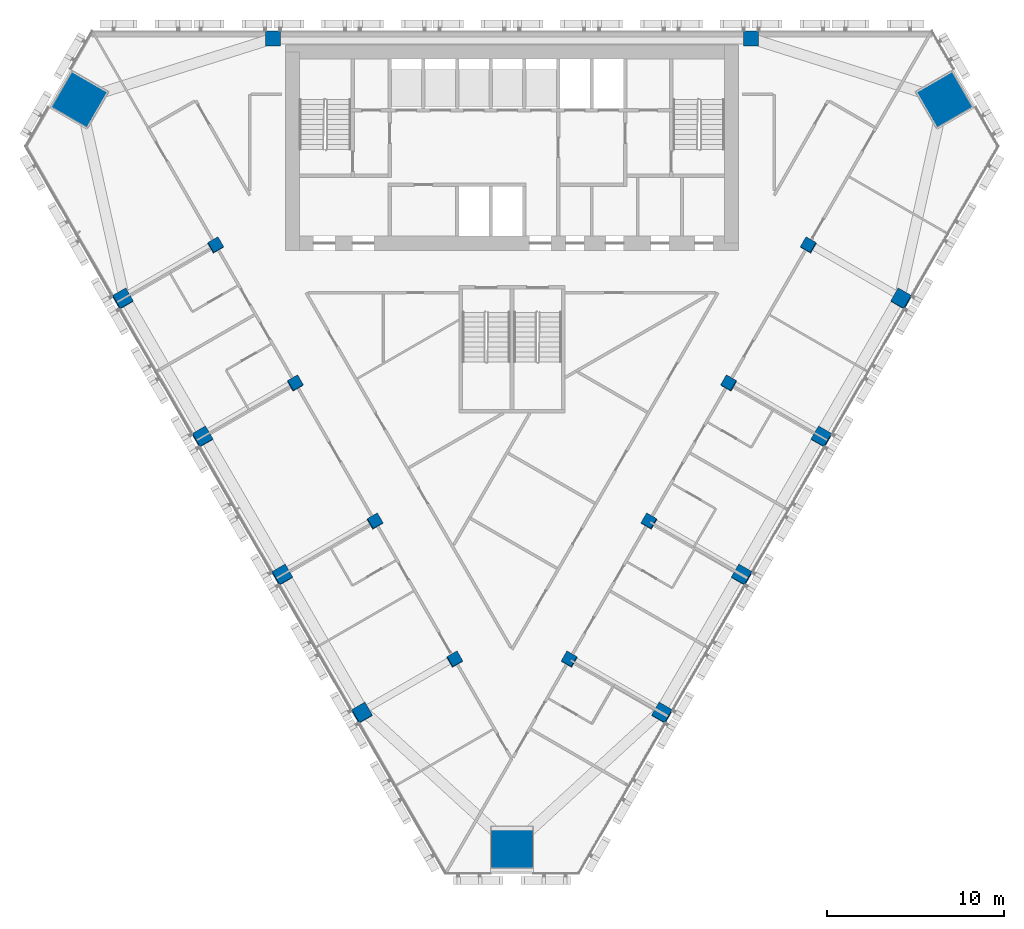
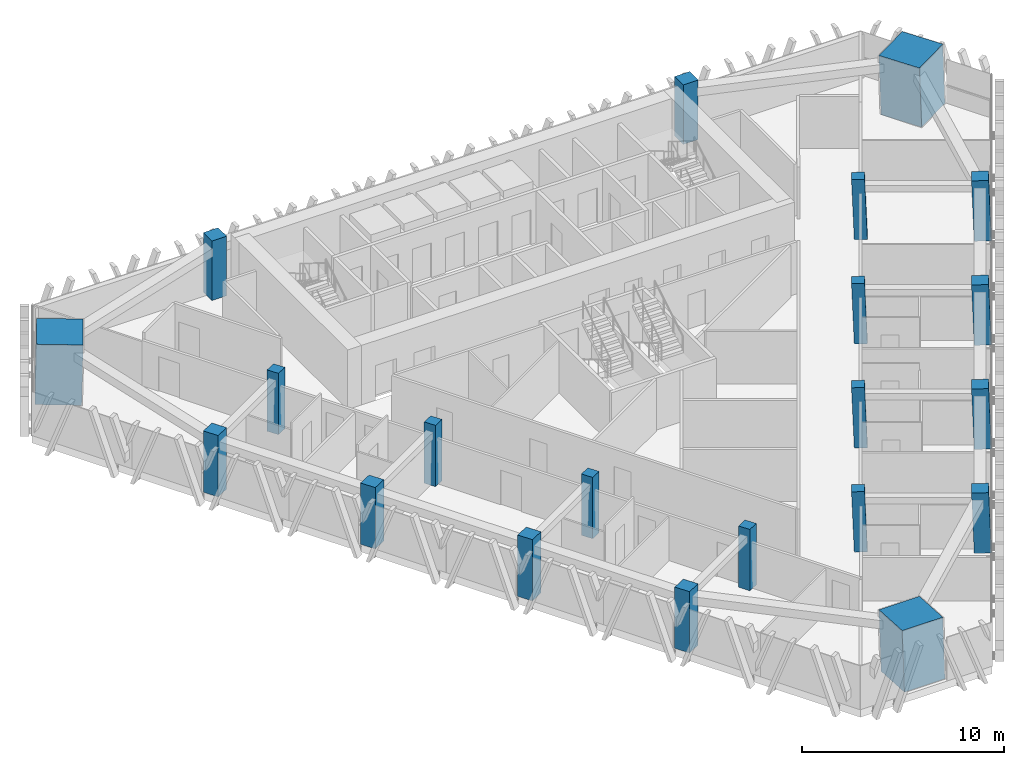
# One storey, part 1 of 15: 21 columns.
"""IFC4 building model written with IfcOpenShell, lengths in metres."""

from ifc_helpers import new_model, si_unit, direction, frame, origin, origin_2d, place, context, subcontext, project, spatial, rectangle, extrude, material, material_profile, profile_set, type_object, element, save


model = new_model("IFC4")

# Units and contexts
model_context = context("Model", 3, precision=1e-05, world=origin(), true_north=direction((0.0, 1.0)))
body_context = subcontext(model_context, "Body", "Model", "MODEL_VIEW")
ifc_project = project(units=[si_unit("LENGTHUNIT", "METRE"), si_unit("AREAUNIT", "SQUARE_METRE"), si_unit("VOLUMEUNIT", "CUBIC_METRE"), si_unit("PLANEANGLEUNIT", "RADIAN"), si_unit("MASSUNIT", "GRAM", prefix="KILO")], contexts=[model_context])

# Site, building, storey
site_placement = place(None, origin())
site = spatial("IfcSite", under=ifc_project, at=site_placement, CompositionType="ELEMENT")
building_placement = place(site_placement, origin())
building = spatial("IfcBuilding", under=site, at=building_placement, Name="Altiplano Prism Tower", CompositionType="ELEMENT")
storey_placement = place(building_placement, frame((0.0, 0.0, 142.199951171875)))
storey = spatial("IfcBuildingStorey", under=building, at=storey_placement, Name="L36", CompositionType="ELEMENT", Elevation=142.199951171875)

# Columns
ifc_material_1 = material(Name="Concrete C60/75", Category="concrete")
ifc_material_profile_1 = material_profile(ifc_material_1, rectangle(XDim=0.64990234375, YDim=0.64990234375, at=origin_2d()), Name="Inner column 650")
ifc_profile_set_1 = profile_set([ifc_material_profile_1], Name="Concrete C60/75")
column_type_1 = type_object("IfcColumnType", Name="Inner column 650", PredefinedType="COLUMN", material=ifc_profile_set_1)
for number, where, z_axis, x_axis, name in (
    (1, (68.251953125, 92.8740234375, -0.019775390625), (0.022153634206, 0.038480930364, 0.999013730882), (-0.864977033913, -0.50033593071, 0.038453702613), "Inner column I11 L36"),
    (2, (72.751953125, 85.079833984375, -0.019775390625), (0.02215369191, 0.038413282303, 0.999016333038), (-0.865361979245, -0.49967375975, 0.038402847483), "Inner column I12 L36"),
    (3, (77.251953125, 77.28564453125, -0.019775390625), (0.02215369191, 0.038413282303, 0.999016333038), (-0.865361987983, -0.499673744646, 0.038402847096), "Inner column I13 L36"),
    (4, (81.751953125, 69.491455078125, -0.019775390625), (0.02215369191, 0.038413282303, 0.999016333038), (-0.865361987983, -0.499673744646, 0.038402847096), "Inner column I14 L36"),
    (5, (88.248046875, 69.491455078125, -0.019775390625), (-0.02215369191, 0.038413282303, 0.999016333038), (-0.500657411499, -0.865361524829, 0.022171776144), "Inner column I21 L36"),
    (6, (92.748046875, 77.28564453125, -0.019775390625), (-0.02215369191, 0.038413282303, 0.999016333038), (-0.500657411499, -0.865361524829, 0.022171776144), "Inner column I22 L36"),
    (7, (97.248046875, 85.079833984375, -0.019775390625), (-0.02215369191, 0.038413282303, 0.999016333038), (-0.500652774743, -0.865364202149, 0.022171981912), "Inner column I23 L36"),
    (8, (101.748046875, 92.8740234375, -0.019775390625), (-0.022153634206, 0.038480930364, 0.999013730882), (-0.501312914587, -0.864981193481, 0.022201274571), "Inner column I24 L36"),
):
    element("IfcColumn", number, at=place(storey_placement, frame(where, z_axis=z_axis, x_axis=x_axis)), inside=storey, type_object=column_type_1, Name=name, PredefinedType="COLUMN", context=body_context, shape_type="SweptSolid", body=[
        extrude(rectangle(XDim=0.64990234375, YDim=0.64990234375, at=origin_2d()), origin(), (0.0, 0.0, 1.0), 3.603759765625),
    ])
ifc_material_2 = material(Name="Concrete C70/85", Category="concrete")
ifc_material_profile_2 = material_profile(ifc_material_2, rectangle(XDim=2.320068359375, YDim=2.320068359375, at=origin_2d()), Name="Mega column infill 2400")
ifc_profile_set_2 = profile_set([ifc_material_profile_2], Name="Concrete C70/85")
column_type_2 = type_object("IfcColumnType", Name="Mega column infill 2400", PredefinedType="COLUMN", material=ifc_profile_set_2)
column_1_placement = place(storey_placement, frame((60.52490234375, 101.08642578125, 0.0), z_axis=(0.028334084323, 0.009218745139, 0.999555998633), x_axis=(-0.865470136815, 0.500564453885, 0.019916570694)))
element("IfcColumn", 9, at=column_1_placement, inside=storey, type_object=column_type_2, Name="Mega column M0 L36", PredefinedType="COLUMN", context=body_context, shape_type="SweptSolid", body=[
    extrude(rectangle(XDim=2.320068359375, YDim=2.320068359375, at=origin_2d()), origin(), (0.0, 0.0, 1.0), 3.601806640625),
])
column_2_placement = place(storey_placement, frame((85.0, 58.694091796875, 0.0), z_axis=(0.0, 0.058356907999, 0.998295783467), x_axis=(-1.0, 0.0, 0.0)))
element("IfcColumn", 10, at=column_2_placement, inside=storey, type_object=column_type_2, Name="Mega column M1 L36", PredefinedType="COLUMN", context=body_context, shape_type="SweptSolid", body=[
    extrude(rectangle(XDim=2.320068359375, YDim=2.320068359375, at=origin_2d()), origin(), (0.0, 0.0, 1.0), 3.606201171875),
])
column_3_placement = place(storey_placement, frame((109.47509765625, 101.08642578125, 0.0), z_axis=(-0.028334084323, 0.009218745139, 0.999555998633), x_axis=(0.500161104272, -0.865648734423, 0.022161641765)))
element("IfcColumn", 11, at=column_3_placement, inside=storey, type_object=column_type_2, Name="Mega column M2 L36", PredefinedType="COLUMN", context=body_context, shape_type="SweptSolid", body=[
    extrude(rectangle(XDim=2.320068359375, YDim=2.320068359375, at=origin_2d()), origin(), (0.0, 0.0, 1.0), 3.601806640625),
])
ifc_material_profile_3 = material_profile(ifc_material_1, rectangle(XDim=0.85009765625, YDim=0.85009765625, at=origin_2d()), Name="Perimeter column 850")
ifc_profile_set_3 = profile_set([ifc_material_profile_3], Name="Concrete C60/75")
column_type_3 = type_object("IfcColumnType", Name="Perimeter column 850", PredefinedType="COLUMN", material=ifc_profile_set_3)
for number, where, z_axis, x_axis, name in (
    (12, (98.5, 104.550048828125, 0.0), (0.0, 0.0, 1.0), (1.0, 0.0, 0.0), "Perimeter column P01 L36"),
    (13, (71.5, 104.550048828125, 0.0), (0.0, 0.0, 1.0), (1.0, 0.0, 0.0), "Perimeter column P04 L36"),
):
    element("IfcColumn", number, at=place(storey_placement, frame(where, z_axis=z_axis, x_axis=x_axis)), inside=storey, type_object=column_type_3, Name=name, PredefinedType="COLUMN", context=body_context, shape_type="SweptSolid", body=[
        extrude(rectangle(XDim=0.85009765625, YDim=0.85009765625, at=origin_2d()), origin(), (0.0, 0.0, 1.0), 3.60009765625),
    ])
for number, where, z_axis, x_axis, name in (
    (14, (63.01220703125, 89.848876953125, -0.025634765625), (0.022222910879, 0.038415824599, 0.999014697916), (-0.866021331072, -0.498527657424, 0.038434735731), "Perimeter column P11 L36"),
    (15, (67.51220703125, 82.0546875, -0.025634765625), (0.022222910879, 0.038415824599, 0.999014697916), (-0.866021331072, -0.498527657424, 0.038434735731), "Perimeter column P12 L36"),
    (16, (72.01220703125, 74.26025390625, -0.025634765625), (0.022222852987, 0.038483477124, 0.999012095419), (-0.865639352107, -0.499186721818, 0.038485436791), "Perimeter column P13 L36"),
    (17, (76.51220703125, 66.466064453125, -0.025634765625), (0.022222852987, 0.038483477124, 0.999012095419), (-0.865639352107, -0.499186721818, 0.038485436791), "Perimeter column P14 L36"),
    (18, (93.48779296875, 66.466064453125, -0.025634765625), (-0.022222852987, 0.038483477124, 0.999012095419), (-0.500174626395, -0.865639439229, 0.022219459073), "Perimeter column P21 L36"),
    (19, (97.98779296875, 74.26025390625, -0.025634765625), (-0.022222852987, 0.038483477124, 0.999012095419), (-0.500174626395, -0.865639439229, 0.022219459073), "Perimeter column P22 L36"),
    (20, (102.48779296875, 82.0546875, -0.025634765625), (-0.022222910879, 0.038415824599, 0.999014697916), (-0.499508303747, -0.866024850037, 0.022190394462), "Perimeter column P23 L36"),
    (21, (106.98779296875, 89.848876953125, -0.025634765625), (-0.022222910879, 0.038415824599, 0.999014697916), (-0.499508303747, -0.866024850037, 0.022190394462), "Perimeter column P24 L36"),
):
    element("IfcColumn", number, at=place(storey_placement, frame(where, z_axis=z_axis, x_axis=x_axis)), inside=storey, type_object=column_type_3, Name=name, PredefinedType="COLUMN", context=body_context, shape_type="SweptSolid", body=[
        extrude(rectangle(XDim=0.85009765625, YDim=0.85009765625, at=origin_2d()), origin(), (0.0, 0.0, 1.0), 3.603515625),
    ])

save(model, "model.ifc")
